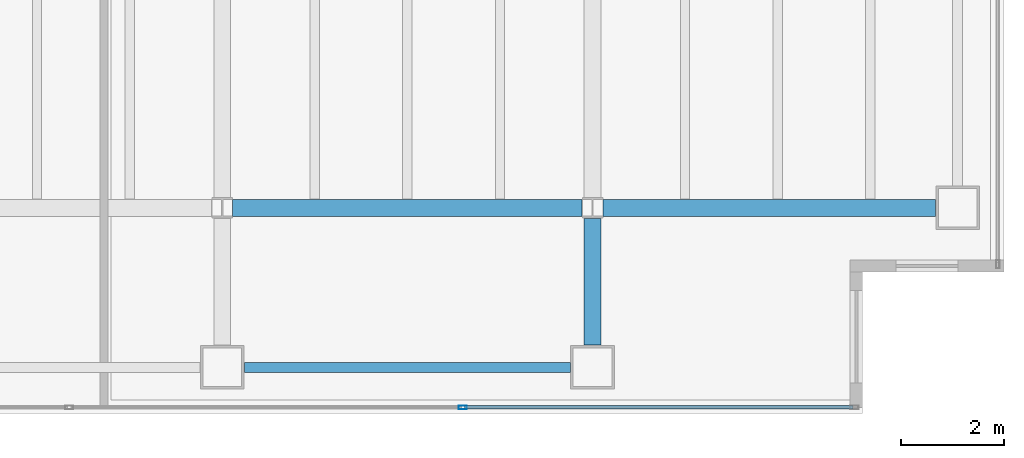
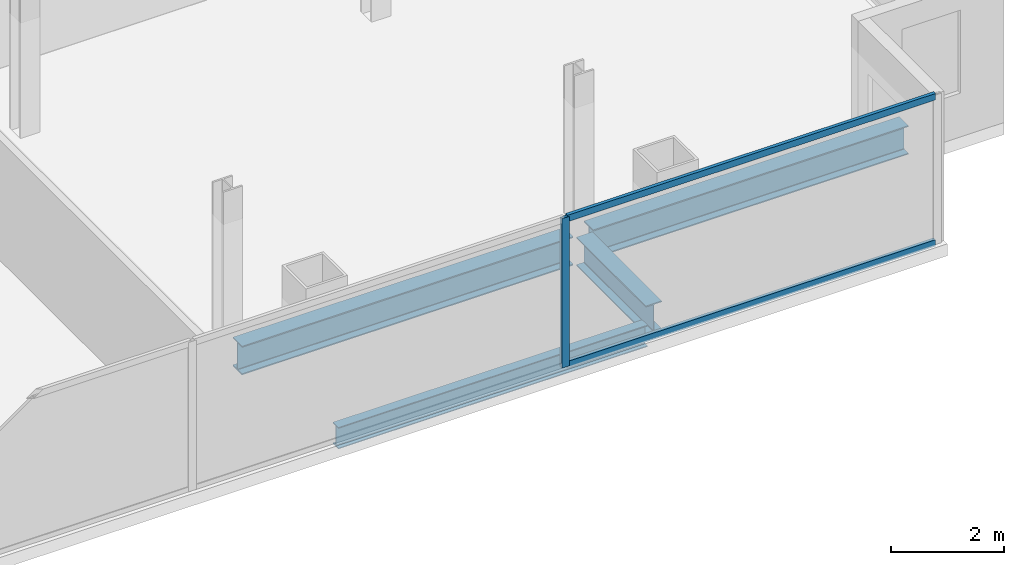
# One storey, part 10 of 23: 4 beams, 3 members, 1 element without a shape of its own.
"""IFC4 building model written with IfcOpenShell, lengths in metres."""

from ifc_helpers import new_model, si_unit, direction, frame, origin, origin_2d, place, context, subcontext, project, spatial, hollow_rectangle, i_section, extrude, material, material_profile, profile_set, type_object, element, aggregate, save


model = new_model("IFC4")

# Units and contexts
model_context = context("Model", 3, precision=1e-05, world=origin(), true_north=direction((0.0, 1.0)))
body_context = subcontext(model_context, "Body", "Model", "MODEL_VIEW")
ifc_project = project(units=[si_unit("LENGTHUNIT", "METRE"), si_unit("AREAUNIT", "SQUARE_METRE"), si_unit("VOLUMEUNIT", "CUBIC_METRE"), si_unit("PLANEANGLEUNIT", "RADIAN"), si_unit("MASSUNIT", "GRAM", prefix="KILO")], contexts=[model_context])

# Site, building, storey
site_placement = place(None, origin())
site = spatial("IfcSite", under=ifc_project, at=site_placement, CompositionType="ELEMENT")
building_placement = place(site_placement, origin())
building = spatial("IfcBuilding", under=site, at=building_placement, Name="Cobrela Telecom Tower", CompositionType="ELEMENT")
storey_placement = place(building_placement, frame((0.0, 0.0, 176.75)))
storey = spatial("IfcBuildingStorey", under=building, at=storey_placement, Name="L44", CompositionType="ELEMENT", Elevation=176.75)

# Beams
ifc_material_1 = material(Name="Steel ASTM A992 Grade 50", Category="steel")
ifc_material_profile_1 = material_profile(ifc_material_1, i_section(OverallWidth=0.327880859375, OverallDepth=0.6220703125, WebThickness=0.015380859375, FlangeThickness=0.0244140625, FilletRadius=0.014892578125, at=origin_2d()), Name="W24X131")
ifc_profile_set_1 = profile_set([ifc_material_profile_1], Name="Steel ASTM A992 Grade 50")
beam_type_1 = type_object("IfcBeamType", Name="BM-GIRD-06", PredefinedType="USERDEFINED", material=ifc_profile_set_1)
beam_1_placement = place(storey_placement, frame((29.00439453125, 7.199951171875, -0.571044921875), z_axis=(1.0, 0.0, 0.0), x_axis=(0.0, 1.0, 0.0)))
element("IfcBeam", 1, at=beam_1_placement, inside=storey, type_object=beam_type_1, Name="L44 Primary Girder X09", ObjectType="GIRDER", PredefinedType="USERDEFINED", context=body_context, shape_type="SweptSolid", body=[
    extrude(i_section(OverallWidth=0.327880859375, OverallDepth=0.6220703125, WebThickness=0.015380859375, FlangeThickness=0.0244140625, FilletRadius=0.014892578125, at=origin_2d()), origin(), (0.0, 0.0, 1.0), 6.791015625),
])
beam_2_placement = place(storey_placement, frame((36.20458984375, 7.199951171875, -0.571044921875), z_axis=(1.0, 0.0, 0.0), x_axis=(0.0, 1.0, 0.0)))
element("IfcBeam", 2, at=beam_2_placement, inside=storey, type_object=beam_type_1, Name="L44 Primary Girder X10", ObjectType="GIRDER", PredefinedType="USERDEFINED", context=body_context, shape_type="SweptSolid", body=[
    extrude(i_section(OverallWidth=0.327880859375, OverallDepth=0.6220703125, WebThickness=0.015380859375, FlangeThickness=0.0244140625, FilletRadius=0.014892578125, at=origin_2d()), origin(), (0.0, 0.0, 1.0), 6.46533203125),
])
beam_3_placement = place(storey_placement, frame((36.0, 4.530029296875, -0.571044921875), z_axis=(0.0, 1.0, 0.0), x_axis=(-1.0, 0.0, 0.0)))
element("IfcBeam", 3, at=beam_3_placement, inside=storey, type_object=beam_type_1, Name="L44 Primary Girder Y39", ObjectType="GIRDER", PredefinedType="USERDEFINED", context=body_context, shape_type="SweptSolid", body=[
    extrude(i_section(OverallWidth=0.327880859375, OverallDepth=0.6220703125, WebThickness=0.015380859375, FlangeThickness=0.0244140625, FilletRadius=0.014892578125, at=origin_2d()), origin(), (0.0, 0.0, 1.0), 2.465576171875),
])
ifc_material_profile_2 = material_profile(ifc_material_1, i_section(OverallWidth=0.193115234375, OverallDepth=0.467041015625, WebThickness=0.011474609375, FlangeThickness=0.01904296875, FilletRadius=0.012939453125, at=origin_2d()), Name="W18X65")
ifc_profile_set_2 = profile_set([ifc_material_profile_2], Name="Steel ASTM A992 Grade 50")
beam_type_2 = type_object("IfcBeamType", Name="BM-SPAND-05", PredefinedType="SPANDREL", material=ifc_profile_set_2)
beam_4_placement = place(storey_placement, frame((29.22998046875, 4.10009765625, -0.493408203125), z_axis=(1.0, 0.0, 0.0), x_axis=(0.0, 1.0, 0.0)))
element("IfcBeam", 4, at=beam_4_placement, inside=storey, type_object=beam_type_2, Name="L44 Perimeter Spandrel X04", PredefinedType="SPANDREL", context=body_context, shape_type="SweptSolid", body=[
    extrude(i_section(OverallWidth=0.193115234375, OverallDepth=0.467041015625, WebThickness=0.011474609375, FlangeThickness=0.01904296875, FilletRadius=0.012939453125, at=origin_2d()), origin(), (0.0, 0.0, 1.0), 6.340087890625),
])

# Curtain wall, members
ifc_material_2 = material(Name="Anodized Bronze Aluminium 6063-T6", Category="aluminium")
curtain_wall_type = type_object("IfcCurtainWallType", Name="CW-SYS-OFF-LO", PredefinedType="USERDEFINED", material=ifc_material_2)
curtain_wall_placement = place(storey_placement, origin())
curtain_wall = element("IfcCurtainWall", 5, at=curtain_wall_placement, inside=storey, type_object=curtain_wall_type, Name="L44 Unitised Bronze Curtain Wall 17", ObjectType="UNITISED CURTAIN WALL", PredefinedType="USERDEFINED")
ifc_material_profile_3 = material_profile(ifc_material_2, hollow_rectangle(XDim=0.070068359375, YDim=0.159912109375, WallThickness=0.00390625, at=origin_2d()), Name="ALU 70x160x4")
ifc_profile_set_3 = profile_set([ifc_material_profile_3], Name="Anodized Bronze Aluminium 6063-T6")
member_type_1 = type_object("IfcMemberType", Name="CW-SYS-OFF-LO-MUL", PredefinedType="MULLION", material=ifc_profile_set_3)
member_1_placement = place(storey_placement, frame((33.47802734375, 3.320068359375, 0.0), z_axis=(0.0, 0.0, 1.0), x_axis=(0.0, -1.0, 0.0)))
member_1 = element("IfcMember", 6, at=member_1_placement, type_object=member_type_1, Name="CW-OFF-LO mullion 2", PredefinedType="MULLION", context=body_context, shape_type="SweptSolid", body=[
    extrude(hollow_rectangle(XDim=0.070068359375, YDim=0.159912109375, WallThickness=0.00390625, at=origin_2d()), origin(), (0.0, 0.0, 1.0), 3.239990234375),
])
ifc_material_profile_4 = material_profile(ifc_material_2, hollow_rectangle(XDim=0.070068359375, YDim=0.139892578125, WallThickness=0.00390625, at=origin_2d()), Name="ALU 70x140x4")
ifc_profile_set_4 = profile_set([ifc_material_profile_4], Name="Anodized Bronze Aluminium 6063-T6")
member_type_2 = type_object("IfcMemberType", Name="CW-SYS-OFF-LO-TRN", PredefinedType="USERDEFINED", material=ifc_profile_set_4)
member_2_placement = place(storey_placement, frame((41.06005859375, 3.320068359375, 0.034912109375), z_axis=(-1.0, 0.0, 0.0), x_axis=(0.0, -1.0, 0.0)))
member_2 = element("IfcMember", 7, at=member_2_placement, type_object=member_type_2, Name="CW-OFF-LO transom 1.1", ObjectType="TRANSOM", PredefinedType="USERDEFINED", context=body_context, shape_type="SweptSolid", body=[
    extrude(hollow_rectangle(XDim=0.070068359375, YDim=0.139892578125, WallThickness=0.00390625, at=origin_2d()), origin(), (0.0, 0.0, 1.0), 7.547119140625),
])
member_3_placement = place(storey_placement, frame((41.06005859375, 3.320068359375, 3.205078125), z_axis=(-1.0, 0.0, 0.0), x_axis=(0.0, -1.0, 0.0)))
member_3 = element("IfcMember", 8, at=member_3_placement, type_object=member_type_2, Name="CW-OFF-LO transom 1.2", ObjectType="TRANSOM", PredefinedType="USERDEFINED", context=body_context, shape_type="SweptSolid", body=[
    extrude(hollow_rectangle(XDim=0.070068359375, YDim=0.139892578125, WallThickness=0.00390625, at=origin_2d()), origin(), (0.0, 0.0, 1.0), 7.547119140625),
])
aggregate(curtain_wall, [member_1, member_2, member_3])

save(model, "model.ifc")
